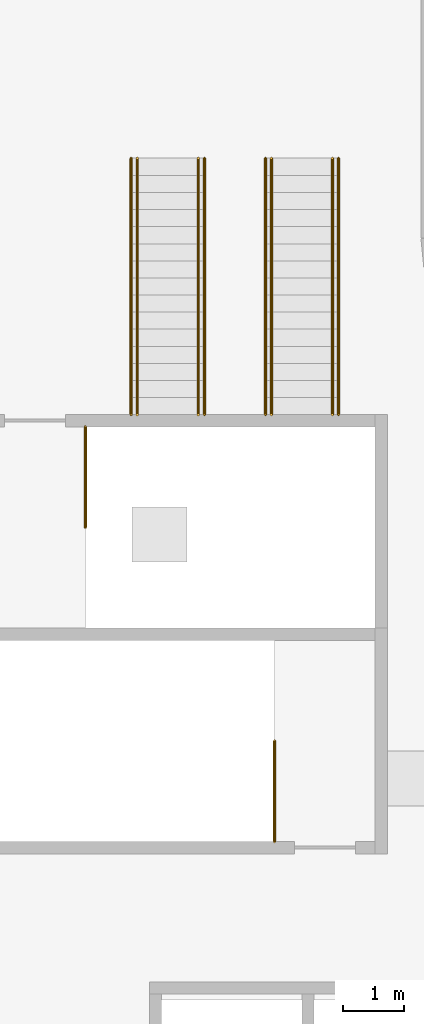
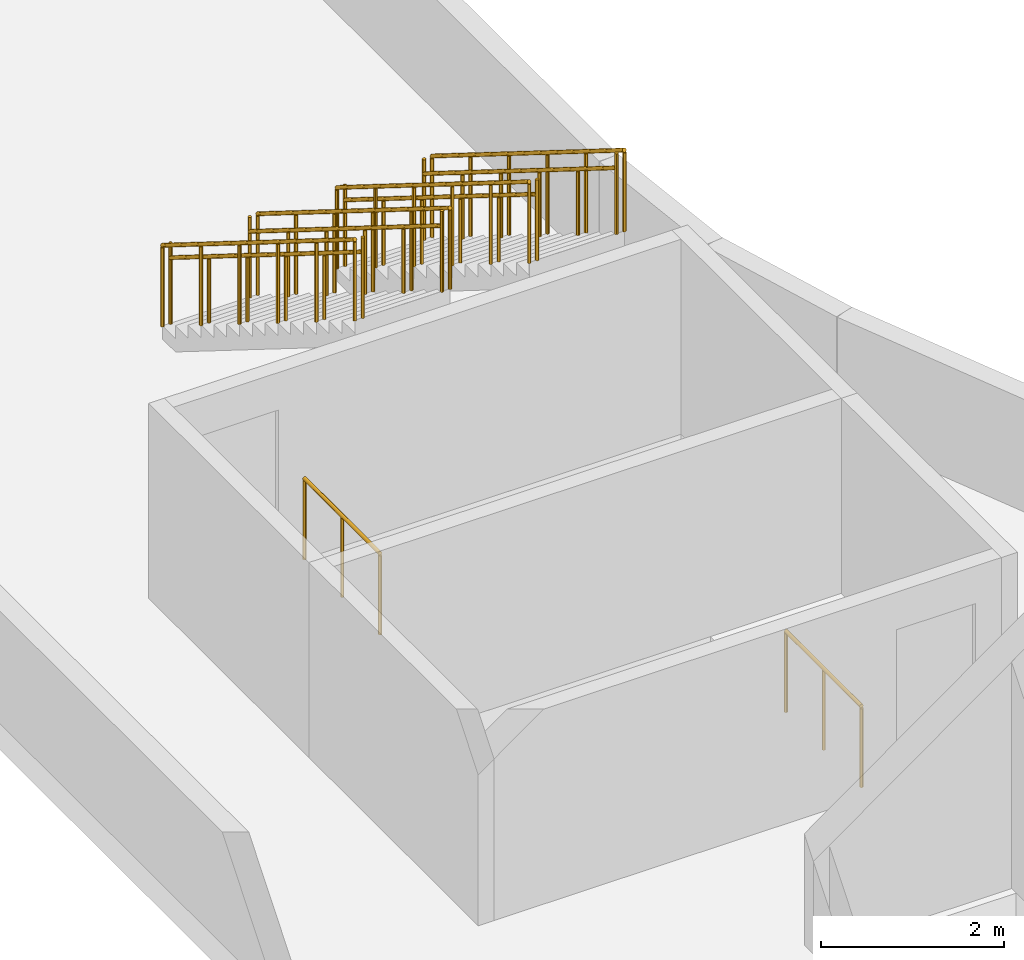
# One storey, part 2 of 2: 10 railings.
"""IFC4 building model written with IfcOpenShell, lengths in metres."""

import ifcopenshell
import ifcopenshell.guid

model = None  # the IFC model being written
_history = None  # IfcOwnerHistory: only IFC2X3 demands one
_inside = {}  # id of a spatial element -> (the spatial element, [elements in it])
_under = {}  # id of a project, library or spatial element -> (it, [spatial elements below it])
_declared = {}  # id of a project -> (the project, [libraries it declares])
_typed = {}  # id of a type object -> (the type object, [elements of that type])
_made_of = {}  # id of a material, layer set ... -> (it, [elements and type objects made of it])


def new_model(schema):
    """Start an empty IFC model of exactly this schema.

    Asked for "IFC4X3", IfcOpenShell would pick the latest addendum, in which some entities
    have other attributes; the version numbers below select the first issue.
    IFC2X3 requires an IfcOwnerHistory on every rooted entity: one is made here for all.
    """
    global model, _history
    if schema == "IFC4X3":
        model = ifcopenshell.file(schema_version=(4, 3, 0, 0))
    else:
        model = ifcopenshell.file(schema=schema)
    _inside.clear()
    _under.clear()
    _declared.clear()
    _typed.clear()
    _made_of.clear()
    _history = None
    if model.schema == "IFC2X3":
        org = make("IfcOrganization", Name="unknown")
        user = make(
            "IfcPersonAndOrganization",
            ThePerson=make("IfcPerson", FamilyName="unknown"),
            TheOrganization=org,
        )
        app = make(
            "IfcApplication",
            ApplicationDeveloper=org,
            Version="unknown",
            ApplicationFullName="unknown",
            ApplicationIdentifier="unknown",
        )
        _history = make(
            "IfcOwnerHistory",
            OwningUser=user,
            OwningApplication=app,
            ChangeAction="ADDED",
            CreationDate=0,
        )
    return model


def make(cls, **values):
    """One entity of the class cls with the attributes given. An attribute that is None is left unset."""
    return model.create_entity(
        cls, **{name: value for name, value in values.items() if value is not None}
    )


def rooted(cls, **values):
    """An entity with a GlobalId (a new one), such as an element, a storey or a relation."""
    return make(cls, GlobalId=ifcopenshell.guid.new(), OwnerHistory=_history, **values)


def si_unit(unit_type, name, prefix=None):
    """IfcSIUnit, for example si_unit("LENGTHUNIT", "METRE", prefix="MILLI")."""
    return make("IfcSIUnit", UnitType=unit_type, Prefix=prefix, Name=name)


def assignment(units):
    """IfcUnitAssignment: the units of a project."""
    return None if units is None else make("IfcUnitAssignment", Units=units)


def point(xyz):
    """IfcCartesianPoint."""
    return None if xyz is None else make("IfcCartesianPoint", Coordinates=xyz)


def direction(xyz):
    """IfcDirection."""
    return None if xyz is None else make("IfcDirection", DirectionRatios=xyz)


def frame(location, z_axis=None, x_axis=None):
    """IfcAxis2Placement3D, a coordinate frame: its origin and axes. An axis left out is left unset."""
    return make(
        "IfcAxis2Placement3D",
        Location=point(location),
        Axis=direction(z_axis),
        RefDirection=direction(x_axis),
    )


def frame_2d(location, x_axis=None):
    """IfcAxis2Placement2D, a coordinate frame in the plane: its origin and x axis."""
    return make(
        "IfcAxis2Placement2D", Location=point(location), RefDirection=direction(x_axis)
    )


def origin():
    """The frame at (0, 0, 0) with its axes left unset."""
    return frame((0.0, 0.0, 0.0))


def origin_2d():
    """The frame at (0, 0) in the plane with its x axis left unset."""
    return frame_2d((0.0, 0.0))


def place(relative_to, where):
    """IfcLocalPlacement: puts the frame where relative to a parent placement (None: the world)."""
    return make(
        "IfcLocalPlacement", PlacementRelTo=relative_to, RelativePlacement=where
    )


def context(
    kind, dimensions, precision=None, world=None, true_north=None, identifier=None
):
    """IfcGeometricRepresentationContext, for example the 3D "Model" context."""
    return make(
        "IfcGeometricRepresentationContext",
        ContextIdentifier=identifier,
        ContextType=kind,
        CoordinateSpaceDimension=dimensions,
        Precision=precision,
        WorldCoordinateSystem=world,
        TrueNorth=true_north,
    )


def subcontext(parent, identifier, kind, view, scale=None):
    """IfcGeometricRepresentationSubContext, for example "Body" below "Model"."""
    return make(
        "IfcGeometricRepresentationSubContext",
        ContextIdentifier=identifier,
        ContextType=kind,
        ParentContext=parent,
        TargetScale=scale,
        TargetView=view,
    )


def project(units=None, contexts=None):
    """IfcProject with its units and contexts."""
    return rooted(
        "IfcProject",
        Name="project",
        RepresentationContexts=contexts,
        UnitsInContext=assignment(units),
    )


def spatial(cls, under=None, at=None, **own):
    """A site, building, storey or space (cls), placed at a placement, below another one or the project."""
    s = rooted(cls, ObjectPlacement=at, **own)
    if under is not None:
        _under.setdefault(under.id(), (under, []))[1].append(s)
    return s


def profile(cls, at=None, kind="AREA", **sizes):
    """A parametric profile (cls). Its sizes go by their IFC names, for example OverallWidth=200.0."""
    return make(cls, ProfileType=kind, Position=at, **sizes)


def circle(**sizes):
    """IfcCircleProfileDef."""
    return profile("IfcCircleProfileDef", **sizes)


def extrude(swept, where, along, depth):
    """IfcExtrudedAreaSolid: the profile swept, set in the frame where, extruded along a direction by depth."""
    return make(
        "IfcExtrudedAreaSolid",
        SweptArea=swept,
        Position=where,
        ExtrudedDirection=direction(along),
        Depth=depth,
    )


def shape(context_of_items, identifier, shape_type, items):
    """IfcShapeRepresentation: the items that make up one representation, for example the "Body"."""
    return make(
        "IfcShapeRepresentation",
        ContextOfItems=context_of_items,
        RepresentationIdentifier=identifier,
        RepresentationType=shape_type,
        Items=items,
    )


def material(Name=None, Category=None):
    """IfcMaterial."""
    return make("IfcMaterial", Name=Name, Category=Category)


def made_of(thing, what):
    """Note that an element or type object is made of a material, layer set ...; save() writes the relation."""
    if what is not None:
        _made_of.setdefault(what.id(), (what, []))[1].append(thing)
    return thing


def type_object(cls, material=None, **own):
    """A type object (cls), such as IfcWallType, which elements share."""
    return made_of(rooted(cls, **own), material)


def element(
    cls,
    number,
    at=None,
    inside=None,
    cuts=None,
    type_object=None,
    material=None,
    context=None,
    identifier="Body",
    shape_type=None,
    held_by="IfcProductDefinitionShape",
    body=None,
    shapes=None,
    **own,
):
    """One element of the class cls, such as IfcWall. Its Tag is "e" and its number.

    at: its placement. inside: the storey or other place that contains it. cuts: it is an
    opening in that element (IfcRelVoidsElement). A single representation is given by context,
    identifier, shape_type and body (its items); several are given by shapes. held_by: the class
    of the entity that holds the representations. save() writes the other relations.
    """
    e = rooted(cls, Tag="e%d" % number, ObjectPlacement=at, **own)
    if body is not None:
        shapes = [shape(context, identifier, shape_type, body)]
    if shapes is not None:
        e.Representation = make(held_by, Representations=shapes)
    if inside is not None:
        _inside.setdefault(inside.id(), (inside, []))[1].append(e)
    if cuts is not None:
        rooted(
            "IfcRelVoidsElement", RelatingBuildingElement=cuts, RelatedOpeningElement=e
        )
    if type_object is not None:
        _typed.setdefault(type_object.id(), (type_object, []))[1].append(e)
    return made_of(e, material)


def aggregate(whole, parts):
    """IfcRelAggregates: a whole, such as a stair, and the parts it consists of."""
    return rooted("IfcRelAggregates", RelatingObject=whole, RelatedObjects=parts)


def save(model, path):
    """Write the relations noted so far, then the file.

    IfcRelAggregates (storeys below a building ...), IfcRelContainedInSpatialStructure (elements
    in a storey), IfcRelDefinesByType, IfcRelAssociatesMaterial and IfcRelDeclares: one each for
    every whole, place, type object, material and project.
    """
    for whole, parts in _under.values():
        aggregate(whole, parts)
    for where, things in _inside.values():
        rooted(
            "IfcRelContainedInSpatialStructure",
            RelatedElements=things,
            RelatingStructure=where,
        )
    for kind, things in _typed.values():
        rooted("IfcRelDefinesByType", RelatedObjects=things, RelatingType=kind)
    for what, things in _made_of.values():
        rooted("IfcRelAssociatesMaterial", RelatedObjects=things, RelatingMaterial=what)
    for by, libraries in _declared.values():
        rooted("IfcRelDeclares", RelatingContext=by, RelatedDefinitions=libraries)
    model.write(path)


model = new_model("IFC4")

# Units and contexts
model_context = context("Model", 3, precision=1e-05, world=origin(), true_north=direction((0.0, 1.0)))
body_context = subcontext(model_context, "Body", "Model", "MODEL_VIEW")
ifc_project = project(units=[si_unit("LENGTHUNIT", "METRE"), si_unit("AREAUNIT", "SQUARE_METRE"), si_unit("VOLUMEUNIT", "CUBIC_METRE"), si_unit("PLANEANGLEUNIT", "RADIAN"), si_unit("MASSUNIT", "GRAM", prefix="KILO")], contexts=[model_context])

# Site, building, storey
site_placement = place(None, origin())
site = spatial("IfcSite", under=ifc_project, at=site_placement, CompositionType="ELEMENT")
building_placement = place(site_placement, origin())
building = spatial("IfcBuilding", under=site, at=building_placement, Name="Qaws Garden Tower", CompositionType="ELEMENT")
storey_placement = place(building_placement, frame((0.0, 0.0, 377.699951171875)))
storey = spatial("IfcBuildingStorey", under=building, at=storey_placement, Name="RF", CompositionType="ELEMENT", Elevation=377.699951171875)

# Railings
ifc_material_1 = material(Name="Steel S355", Category="steel")
railing_type_1 = type_object("IfcRailingType", Name="Stair guard 1100", PredefinedType="GUARDRAIL", material=ifc_material_1)
for number, where, name in (
    (1, (17.449951171875, 30.10009765625, 0.0), "Stair 1 guard"),
    (2, (14.35009765625, 35.25, 0.0), "Stair 2 guard"),
):
    element("IfcRailing", number, at=place(storey_placement, frame(where)), inside=storey, type_object=railing_type_1, Name=name, PredefinedType="GUARDRAIL", context=body_context, shape_type="SweptSolid", body=[
        extrude(circle(Radius=0.02392578125, at=origin_2d()), frame((0.0, 0.0, 1.076171875), z_axis=(0.0, 1.0, 0.0), x_axis=(-1.0, 0.0, 0.0)), (0.0, 0.0, 1.0), 1.64990234375),
        extrude(circle(Radius=0.02099609375, at=origin_2d()), origin(), (0.0, 0.0, 1.0), 1.052001953125),
        extrude(circle(Radius=0.02099609375, at=origin_2d()), frame((0.0, 0.824951171875, 0.0)), (0.0, 0.0, 1.0), 1.052001953125),
        extrude(circle(Radius=0.02099609375, at=origin_2d()), frame((0.0, 1.64990234375, 0.0)), (0.0, 0.0, 1.0), 1.052001953125),
    ])
for number, where, name in (
    (3, (15.10009765625, 41.300048828125, 0.175048828125), "Roof access stair 1 guard"),
    (4, (16.300048828125, 41.300048828125, 0.175048828125), "Roof access stair 1 guard"),
    (5, (17.300048828125, 41.300048828125, 0.175048828125), "Roof access stair 2 guard"),
    (6, (18.5, 41.300048828125, 0.175048828125), "Roof access stair 2 guard"),
):
    element("IfcRailing", number, at=place(storey_placement, frame(where)), inside=storey, type_object=railing_type_1, Name=name, PredefinedType="GUARDRAIL", context=body_context, shape_type="SweptSolid", body=[
        extrude(circle(Radius=0.02392578125, at=origin_2d()), frame((0.0, 0.0, 1.076171875), z_axis=(0.0, -0.847995534698, 0.530003370869), x_axis=(1.0, 0.0, 0.0)), (0.0, 0.0, 1.0), 4.952880859375),
        extrude(circle(Radius=0.02099609375, at=origin_2d()), origin(), (0.0, 0.0, 1.0), 1.052001953125),
        extrude(circle(Radius=0.02099609375, at=origin_2d()), frame((0.0, -0.840087890625, 0.52490234375)), (0.0, 0.0, 1.0), 1.052001953125),
        extrude(circle(Radius=0.02099609375, at=origin_2d()), frame((0.0, -1.679931640625, 1.050048828125)), (0.0, 0.0, 1.0), 1.052001953125),
        extrude(circle(Radius=0.02099609375, at=origin_2d()), frame((0.0, -2.52001953125, 1.574951171875)), (0.0, 0.0, 1.0), 1.052001953125),
        extrude(circle(Radius=0.02099609375, at=origin_2d()), frame((0.0, -3.35986328125, 2.10009765625)), (0.0, 0.0, 1.0), 1.052001953125),
        extrude(circle(Radius=0.02099609375, at=origin_2d()), frame((0.0, -4.199951171875, 2.625)), (0.0, 0.0, 1.0), 1.052001953125),
    ])
ifc_material_2 = material(Name="Steel S355", Category="steel")
railing_type_2 = type_object("IfcRailingType", Name="Stair handrail 900", PredefinedType="HANDRAIL", material=ifc_material_2)
for number, where, name in (
    (7, (15.199951171875, 41.300048828125, 0.175048828125), "Roof access stair 1 handrail"),
    (8, (16.199951171875, 41.300048828125, 0.175048828125), "Roof access stair 1 handrail"),
    (9, (17.39990234375, 41.300048828125, 0.175048828125), "Roof access stair 2 handrail"),
    (10, (18.39990234375, 41.300048828125, 0.175048828125), "Roof access stair 2 handrail"),
):
    element("IfcRailing", number, at=place(storey_placement, frame(where)), inside=storey, type_object=railing_type_2, Name=name, PredefinedType="HANDRAIL", context=body_context, shape_type="SweptSolid", body=[
        extrude(circle(Radius=0.02392578125, at=origin_2d()), frame((0.0, 0.0, 0.8759765625), z_axis=(0.0, -0.847995534698, 0.530003370869), x_axis=(1.0, 0.0, 0.0)), (0.0, 0.0, 1.0), 4.952880859375),
        extrude(circle(Radius=0.02099609375, at=origin_2d()), origin(), (0.0, 0.0, 1.0), 1.074951171875),
        extrude(circle(Radius=0.02099609375, at=origin_2d()), frame((0.0, -0.840087890625, 0.52490234375)), (0.0, 0.0, 1.0), 0.851806640625),
        extrude(circle(Radius=0.02099609375, at=origin_2d()), frame((0.0, -1.679931640625, 1.050048828125)), (0.0, 0.0, 1.0), 0.851806640625),
        extrude(circle(Radius=0.02099609375, at=origin_2d()), frame((0.0, -2.52001953125, 1.574951171875)), (0.0, 0.0, 1.0), 0.851806640625),
        extrude(circle(Radius=0.02099609375, at=origin_2d()), frame((0.0, -3.35986328125, 2.10009765625)), (0.0, 0.0, 1.0), 0.851806640625),
        extrude(circle(Radius=0.02099609375, at=origin_2d()), frame((0.0, -4.199951171875, 2.625)), (0.0, 0.0, 1.0), 1.074951171875),
    ])

save(model, "model.ifc")
